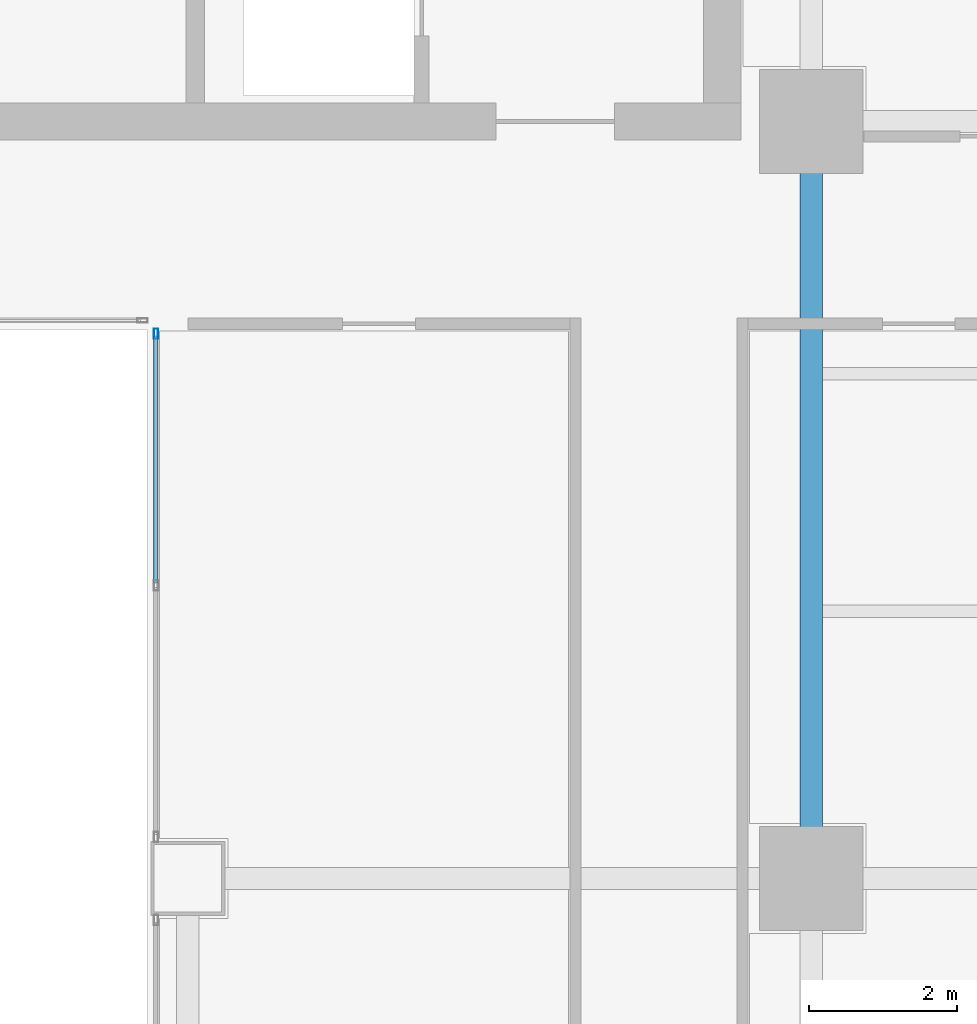
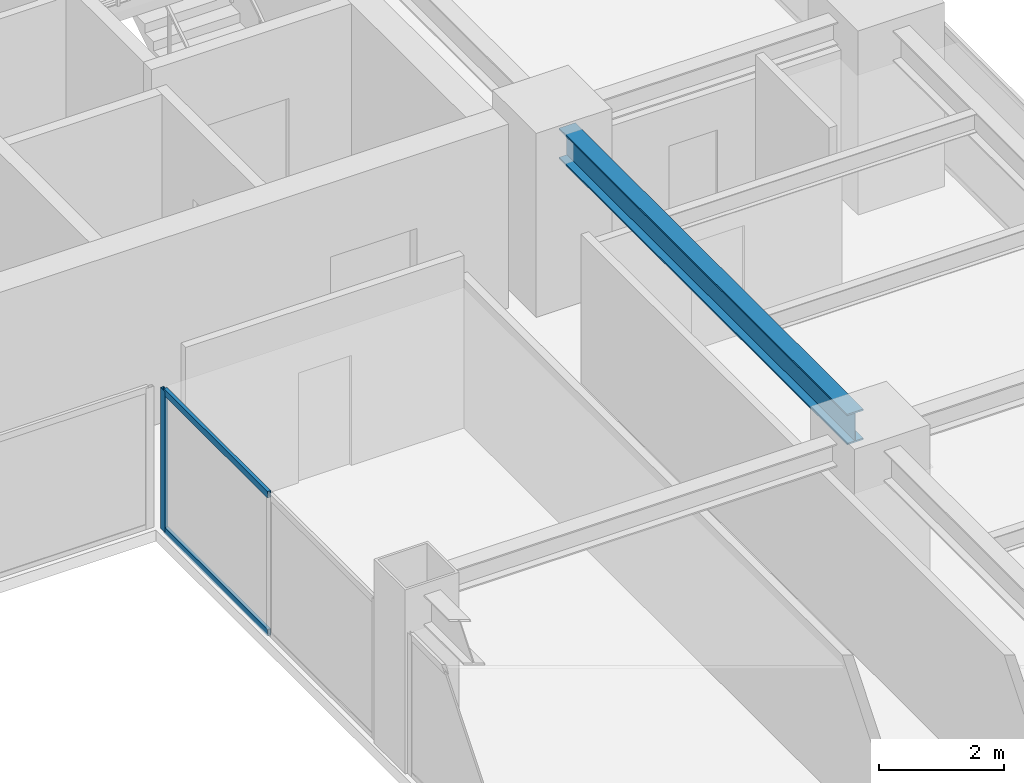
# One storey, part 16 of 29: 3 members, 1 beam, 1 element without a shape of its own.
"""IFC4 building model written with IfcOpenShell, lengths in metres."""

from ifc_helpers import new_model, si_unit, direction, frame, origin, origin_2d, place, context, subcontext, project, spatial, hollow_rectangle, i_section, extrude, source, transform, mapped, material, layer, layer_set, material_profile, profile_set, type_object, element, aggregate, save


model = new_model("IFC4")

# Units and contexts
model_context = context("Model", 3, precision=1e-05, world=origin(), true_north=direction((0.0, 1.0)))
body_context = subcontext(model_context, "Body", "Model", "MODEL_VIEW")
ifc_project = project(units=[si_unit("LENGTHUNIT", "METRE"), si_unit("AREAUNIT", "SQUARE_METRE"), si_unit("VOLUMEUNIT", "CUBIC_METRE"), si_unit("PLANEANGLEUNIT", "RADIAN"), si_unit("MASSUNIT", "GRAM", prefix="KILO")], contexts=[model_context])

# Site, building, storey
site_placement = place(None, origin())
site = spatial("IfcSite", under=ifc_project, at=site_placement, CompositionType="ELEMENT")
building_placement = place(site_placement, origin())
building = spatial("IfcBuilding", under=site, at=building_placement, Name="Sumidabori Civic Tower", CompositionType="ELEMENT")
storey_placement = place(building_placement, frame((0.0, 0.0, 214.39990234375)))
storey = spatial("IfcBuildingStorey", under=building, at=storey_placement, Name="L55", CompositionType="ELEMENT", Elevation=214.39990234375)

# Beam
ifc_material_1 = material(Name="Steel SN490", Category="steel")
ifc_material_profile_1 = material_profile(ifc_material_1, i_section(OverallWidth=0.300048828125, OverallDepth=0.60009765625, WebThickness=0.015380859375, FlangeThickness=0.030029296875, at=origin_2d()), Name="HE 600 B")
ifc_profile_set_1 = profile_set([ifc_material_profile_1], Name="Steel SN490")
beam_type = type_object("IfcBeamType", Name="BM-GIRD-600", PredefinedType="BEAM", material=ifc_profile_set_1)
shared_shape_1 = source(origin(), body_context, "Body", "SweptSolid", [
    extrude(i_section(OverallWidth=0.300048828125, OverallDepth=0.60009765625, WebThickness=0.015380859375, FlangeThickness=0.030029296875, at=origin_2d()), origin(), (0.0, 0.0, 1.0), 9.239990234375),
])
beam_placement = place(storey_placement, frame((16.800048828125, 0.47998046875, 3.080078125), z_axis=(0.0, 1.0, 0.0), x_axis=(-1.0, 0.0, 0.0)))
element("IfcBeam", 1, at=beam_placement, inside=storey, type_object=beam_type, Name="Primary Girder L55 GY-20", PredefinedType="BEAM", context=body_context, shape_type="MappedRepresentation", body=[
    mapped(shared_shape_1, transform((0.0, 0.0, 0.0), x_axis=(1.0, 0.0, 0.0), y_axis=(0.0, 1.0, 0.0), z_axis=(0.0, 0.0, 1.0), scale=1.0)),
])

# Curtain wall, members
ifc_material_2 = material(Name="Anodised Bronze Aluminium AW-6063-T6", Category="aluminium")
ifc_layer = layer(ifc_material_2, 0.179931640625, Name="Anodised Bronze Aluminium AW-6063-T6")
ifc_layer_set = layer_set([ifc_layer], Name="Anodised Bronze Aluminium AW-6063-T6")
curtain_wall_type = type_object("IfcCurtainWallType", Name="CW-SYS-4", PredefinedType="NOTDEFINED", material=ifc_layer_set)
curtain_wall_placement = place(storey_placement, origin())
curtain_wall = element("IfcCurtainWall", 2, at=curtain_wall_placement, inside=storey, type_object=curtain_wall_type, Name="Curtain Wall CW:L55:R06", PredefinedType="NOTDEFINED")
ifc_material_profile_2 = material_profile(ifc_material_2, hollow_rectangle(XDim=0.06005859375, YDim=0.139892578125, WallThickness=0.0048828125, at=origin_2d()), Name="ALU MULLION 140x60")
ifc_profile_set_2 = profile_set([ifc_material_profile_2], Name="Anodised Bronze Aluminium AW-6063-T6")
member_type_1 = type_object("IfcMemberType", Name="CW-MUL-140", PredefinedType="MULLION", material=ifc_profile_set_2)
shared_shape_2 = source(origin(), body_context, "Body", "SweptSolid", [
    extrude(hollow_rectangle(XDim=0.06005859375, YDim=0.139892578125, WallThickness=0.0048828125, at=origin_2d()), origin(), (0.0, 0.0, 1.0), 2.760009765625),
])
member_1_placement = place(storey_placement, frame((7.969970703125, 7.340087890625, 0.0), z_axis=(0.0, 0.0, 1.0), x_axis=(1.0, 0.0, 0.0)))
member_1 = element("IfcMember", 3, at=member_1_placement, type_object=member_type_1, Name="CW-4 mullion 1", PredefinedType="MULLION", context=body_context, shape_type="MappedRepresentation", body=[
    mapped(shared_shape_2, transform((0.0, 0.0, 0.0), x_axis=(1.0, 0.0, 0.0), y_axis=(0.0, 1.0, 0.0), z_axis=(0.0, 0.0, 1.0), scale=1.0)),
])
ifc_material_profile_3 = material_profile(ifc_material_2, hollow_rectangle(XDim=0.06005859375, YDim=0.1298828125, WallThickness=0.0048828125, at=origin_2d()), Name="ALU TRANSOM 130x60")
ifc_profile_set_3 = profile_set([ifc_material_profile_3], Name="Anodised Bronze Aluminium AW-6063-T6")
member_type_2 = type_object("IfcMemberType", Name="CW-TRN-130", PredefinedType="USERDEFINED", material=ifc_profile_set_3)
shared_shape_3 = source(origin(), body_context, "Body", "SweptSolid", [
    extrude(hollow_rectangle(XDim=0.06005859375, YDim=0.1298828125, WallThickness=0.0048828125, at=origin_2d()), origin(), (0.0, 0.0, 1.0), 3.330078125),
])
member_2_placement = place(storey_placement, frame((7.969970703125, 7.31005859375, 0.030029296875), z_axis=(0.0, -1.0, 0.0), x_axis=(1.0, 0.0, 0.0)))
member_2 = element("IfcMember", 4, at=member_2_placement, type_object=member_type_2, Name="CW-4 transom 1.1", ObjectType="TRANSOM", PredefinedType="USERDEFINED", context=body_context, shape_type="MappedRepresentation", body=[
    mapped(shared_shape_3, transform((0.0, 0.0, 0.0), x_axis=(1.0, 0.0, 0.0), y_axis=(0.0, 1.0, 0.0), z_axis=(0.0, 0.0, 1.0), scale=1.0)),
])
member_3_placement = place(storey_placement, frame((7.969970703125, 7.31005859375, 2.72998046875), z_axis=(0.0, -1.0, 0.0), x_axis=(1.0, 0.0, 0.0)))
member_3 = element("IfcMember", 5, at=member_3_placement, type_object=member_type_2, Name="CW-4 transom 1.2", ObjectType="TRANSOM", PredefinedType="USERDEFINED", context=body_context, shape_type="MappedRepresentation", body=[
    mapped(shared_shape_3, transform((0.0, 0.0, 0.0), x_axis=(1.0, 0.0, 0.0), y_axis=(0.0, 1.0, 0.0), z_axis=(0.0, 0.0, 1.0), scale=1.0)),
])
aggregate(curtain_wall, [member_1, member_2, member_3])

save(model, "model.ifc")
